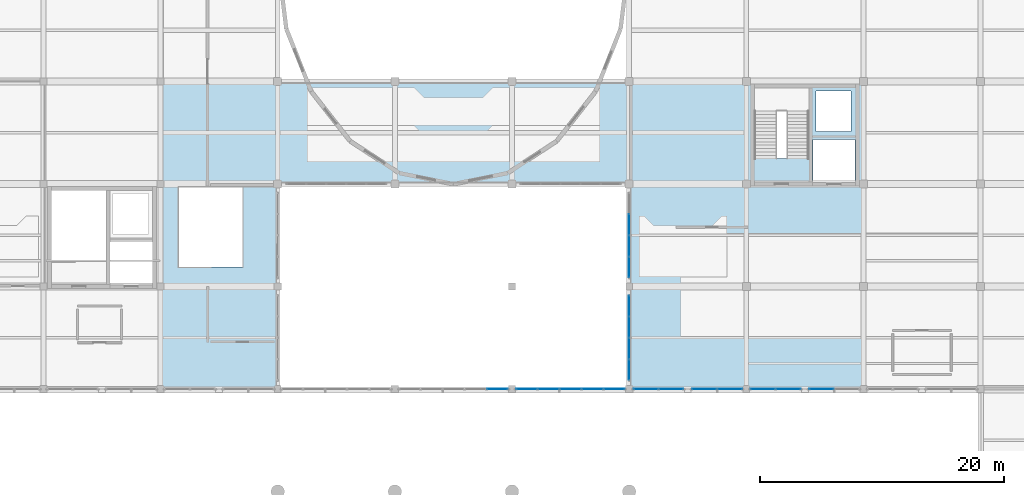
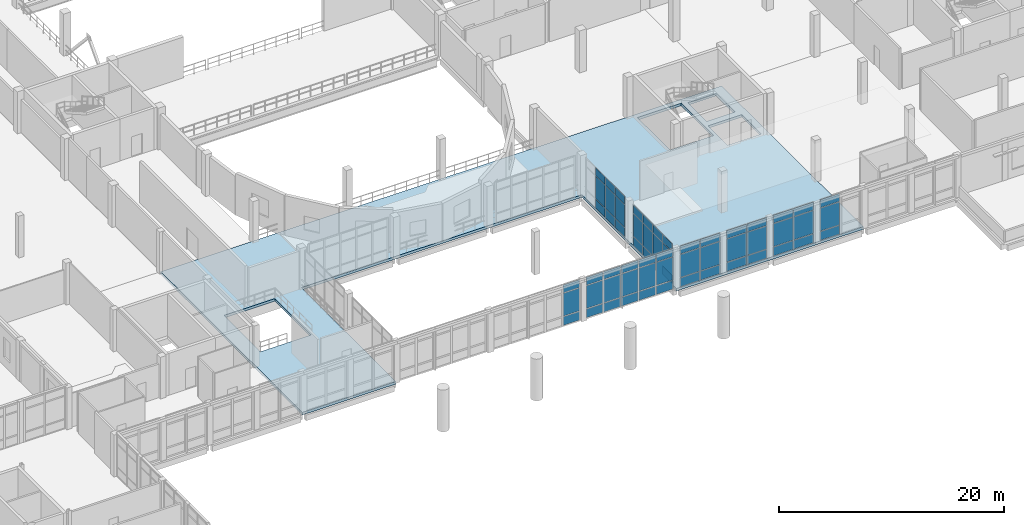
# One storey, part 65 of 88: 60 plates, 1 slab, 8 elements without a shape of their own.
"""IFC4 building model written with IfcOpenShell, lengths in metres."""

from ifc_helpers import new_model, si_unit, direction, frame, origin, origin_2d, place, context, subcontext, project, spatial, polyline, rectangle, outline, extrude, material, layer, layer_set, type_object, element, aggregate, save


model = new_model("IFC4")

# Units and contexts
model_context = context("Model", 3, precision=1e-05, world=origin(), true_north=direction((0.0, 1.0)))
body_context = subcontext(model_context, "Body", "Model", "MODEL_VIEW")
ifc_project = project(units=[si_unit("LENGTHUNIT", "METRE"), si_unit("AREAUNIT", "SQUARE_METRE"), si_unit("VOLUMEUNIT", "CUBIC_METRE"), si_unit("PLANEANGLEUNIT", "RADIAN"), si_unit("MASSUNIT", "GRAM", prefix="KILO")], contexts=[model_context])

# Site, building, storey
site_placement = place(None, origin())
site = spatial("IfcSite", under=ifc_project, at=site_placement, CompositionType="ELEMENT")
building_placement = place(site_placement, origin())
building = spatial("IfcBuilding", under=site, at=building_placement, Name="Lornevale Opera House", CompositionType="ELEMENT")
storey_placement = place(building_placement, frame((0.0, 0.0, 10.199951171875)))
storey = spatial("IfcBuildingStorey", under=building, at=storey_placement, Name="L03", CompositionType="ELEMENT", Elevation=10.199951171875)

# Curtain wall, plates
ifc_material_1 = material(Name="Anodized Oxide-Green Aluminium Framing", Category="aluminium")
ifc_layer_1 = layer(ifc_material_1, 0.14990234375)
ifc_layer_set_1 = layer_set([ifc_layer_1], Name="Anodized Oxide-Green Aluminium Framing")
curtain_wall_type_1 = type_object("IfcCurtainWallType", Name="North-Light Clerestory Curtain Wall M1600", PredefinedType="NOTDEFINED", material=ifc_layer_set_1)
curtain_wall_1_placement = place(storey_placement, origin())
curtain_wall_1 = element("IfcCurtainWall", 1, at=curtain_wall_1_placement, inside=storey, type_object=curtain_wall_type_1, Name="North-Light Clerestory Curtain Wall M1600 CW-179", PredefinedType="NOTDEFINED")
ifc_material_2 = material(Name="Triple Low-E Insulated Glazing", Category="glass")
ifc_layer_2 = layer(ifc_material_2, 0.033935546875)
ifc_layer_set_2 = layer_set([ifc_layer_2], Name="Triple Low-E Insulated Glazing")
plate_type_1 = type_object("IfcPlateType", Name="Clerestory Diffusing Glazing Panel 34", PredefinedType="CURTAIN_PANEL", material=ifc_layer_set_2)
plate_1_placement = place(storey_placement, frame((96.0, 30.27490234375, 0.06005859375), z_axis=(0.0, 0.0, 1.0), x_axis=(0.0, -1.0, 0.0)))
plate_1 = element("IfcPlate", 2, at=plate_1_placement, type_object=plate_type_1, Name="Clerestory Diffusing Glazing Panel 34 CW3755", PredefinedType="CURTAIN_PANEL", context=body_context, shape_type="SweptSolid", body=[
    extrude(rectangle(XDim=1.68994140625, YDim=0.033935546875, at=origin_2d()), origin(), (0.0, 0.0, 1.0), 0.9599609375),
])
plate_2_placement = place(storey_placement, frame((96.0, 30.27490234375, 1.080078125), z_axis=(0.0, 0.0, 1.0), x_axis=(0.0, -1.0, 0.0)))
plate_2 = element("IfcPlate", 3, at=plate_2_placement, type_object=plate_type_1, Name="Clerestory Diffusing Glazing Panel 34 CW3756", PredefinedType="CURTAIN_PANEL", context=body_context, shape_type="SweptSolid", body=[
    extrude(rectangle(XDim=1.68994140625, YDim=0.033935546875, at=origin_2d()), origin(), (0.0, 0.0, 1.0), 2.43994140625),
])
plate_3_placement = place(storey_placement, frame((96.0, 30.27490234375, 3.580078125), z_axis=(0.0, 0.0, 1.0), x_axis=(0.0, -1.0, 0.0)))
plate_3 = element("IfcPlate", 4, at=plate_3_placement, type_object=plate_type_1, Name="Clerestory Diffusing Glazing Panel 34 CW3757", PredefinedType="CURTAIN_PANEL", context=body_context, shape_type="SweptSolid", body=[
    extrude(rectangle(XDim=1.68994140625, YDim=0.033935546875, at=origin_2d()), origin(), (0.0, 0.0, 1.0), 0.860107421875),
])
plate_4_placement = place(storey_placement, frame((96.0, 28.52490234375, 0.06005859375), z_axis=(0.0, 0.0, 1.0), x_axis=(0.0, -1.0, 0.0)))
plate_4 = element("IfcPlate", 5, at=plate_4_placement, type_object=plate_type_1, Name="Clerestory Diffusing Glazing Panel 34 CW3762", PredefinedType="CURTAIN_PANEL", context=body_context, shape_type="SweptSolid", body=[
    extrude(rectangle(XDim=1.68994140625, YDim=0.033935546875, at=origin_2d()), origin(), (0.0, 0.0, 1.0), 0.9599609375),
])
plate_5_placement = place(storey_placement, frame((96.0, 28.52490234375, 1.080078125), z_axis=(0.0, 0.0, 1.0), x_axis=(0.0, -1.0, 0.0)))
plate_5 = element("IfcPlate", 6, at=plate_5_placement, type_object=plate_type_1, Name="Clerestory Diffusing Glazing Panel 34 CW3763", PredefinedType="CURTAIN_PANEL", context=body_context, shape_type="SweptSolid", body=[
    extrude(rectangle(XDim=1.68994140625, YDim=0.033935546875, at=origin_2d()), origin(), (0.0, 0.0, 1.0), 2.43994140625),
])
plate_6_placement = place(storey_placement, frame((96.0, 28.52490234375, 3.580078125), z_axis=(0.0, 0.0, 1.0), x_axis=(0.0, -1.0, 0.0)))
plate_6 = element("IfcPlate", 7, at=plate_6_placement, type_object=plate_type_1, Name="Clerestory Diffusing Glazing Panel 34 CW3764", PredefinedType="CURTAIN_PANEL", context=body_context, shape_type="SweptSolid", body=[
    extrude(rectangle(XDim=1.68994140625, YDim=0.033935546875, at=origin_2d()), origin(), (0.0, 0.0, 1.0), 0.860107421875),
])
plate_7_placement = place(storey_placement, frame((96.0, 26.7900390625, 0.06005859375), z_axis=(0.0, 0.0, 1.0), x_axis=(0.0, -1.0, 0.0)))
plate_7 = element("IfcPlate", 8, at=plate_7_placement, type_object=plate_type_1, Name="Clerestory Diffusing Glazing Panel 34 CW3769", PredefinedType="CURTAIN_PANEL", context=body_context, shape_type="SweptSolid", body=[
    extrude(rectangle(XDim=1.659912109375, YDim=0.033935546875, at=origin_2d()), origin(), (0.0, 0.0, 1.0), 0.9599609375),
])
plate_8_placement = place(storey_placement, frame((96.0, 26.7900390625, 1.080078125), z_axis=(0.0, 0.0, 1.0), x_axis=(0.0, -1.0, 0.0)))
plate_8 = element("IfcPlate", 9, at=plate_8_placement, type_object=plate_type_1, Name="Clerestory Diffusing Glazing Panel 34 CW3770", PredefinedType="CURTAIN_PANEL", context=body_context, shape_type="SweptSolid", body=[
    extrude(rectangle(XDim=1.659912109375, YDim=0.033935546875, at=origin_2d()), origin(), (0.0, 0.0, 1.0), 2.43994140625),
])
plate_9_placement = place(storey_placement, frame((96.0, 26.7900390625, 3.580078125), z_axis=(0.0, 0.0, 1.0), x_axis=(0.0, -1.0, 0.0)))
plate_9 = element("IfcPlate", 10, at=plate_9_placement, type_object=plate_type_1, Name="Clerestory Diffusing Glazing Panel 34 CW3771", PredefinedType="CURTAIN_PANEL", context=body_context, shape_type="SweptSolid", body=[
    extrude(rectangle(XDim=1.659912109375, YDim=0.033935546875, at=origin_2d()), origin(), (0.0, 0.0, 1.0), 0.860107421875),
])
aggregate(curtain_wall_1, [plate_1, plate_2, plate_3, plate_4, plate_5, plate_6, plate_7, plate_8, plate_9])

curtain_wall_2_placement = place(storey_placement, origin())
curtain_wall_2 = element("IfcCurtainWall", 11, at=curtain_wall_2_placement, inside=storey, type_object=curtain_wall_type_1, Name="North-Light Clerestory Curtain Wall M1600 CW-180", PredefinedType="NOTDEFINED")
plate_10_placement = place(storey_placement, frame((96.0, 23.610107421875, 0.06005859375), z_axis=(0.0, 0.0, 1.0), x_axis=(0.0, -1.0, 0.0)))
plate_10 = element("IfcPlate", 12, at=plate_10_placement, type_object=plate_type_1, Name="Clerestory Diffusing Glazing Panel 34 CW3781", PredefinedType="CURTAIN_PANEL", context=body_context, shape_type="SweptSolid", body=[
    extrude(rectangle(XDim=1.659912109375, YDim=0.033935546875, at=origin_2d()), origin(), (0.0, 0.0, 1.0), 0.9599609375),
])
plate_11_placement = place(storey_placement, frame((96.0, 23.610107421875, 1.080078125), z_axis=(0.0, 0.0, 1.0), x_axis=(0.0, -1.0, 0.0)))
plate_11 = element("IfcPlate", 13, at=plate_11_placement, type_object=plate_type_1, Name="Clerestory Diffusing Glazing Panel 34 CW3782", PredefinedType="CURTAIN_PANEL", context=body_context, shape_type="SweptSolid", body=[
    extrude(rectangle(XDim=1.659912109375, YDim=0.033935546875, at=origin_2d()), origin(), (0.0, 0.0, 1.0), 2.43994140625),
])
plate_12_placement = place(storey_placement, frame((96.0, 23.610107421875, 3.580078125), z_axis=(0.0, 0.0, 1.0), x_axis=(0.0, -1.0, 0.0)))
plate_12 = element("IfcPlate", 14, at=plate_12_placement, type_object=plate_type_1, Name="Clerestory Diffusing Glazing Panel 34 CW3783", PredefinedType="CURTAIN_PANEL", context=body_context, shape_type="SweptSolid", body=[
    extrude(rectangle(XDim=1.659912109375, YDim=0.033935546875, at=origin_2d()), origin(), (0.0, 0.0, 1.0), 0.860107421875),
])
plate_13_placement = place(storey_placement, frame((96.0, 21.875, 0.06005859375), z_axis=(0.0, 0.0, 1.0), x_axis=(0.0, -1.0, 0.0)))
plate_13 = element("IfcPlate", 15, at=plate_13_placement, type_object=plate_type_1, Name="Clerestory Diffusing Glazing Panel 34 CW3788", PredefinedType="CURTAIN_PANEL", context=body_context, shape_type="SweptSolid", body=[
    extrude(rectangle(XDim=1.68994140625, YDim=0.033935546875, at=origin_2d()), origin(), (0.0, 0.0, 1.0), 0.9599609375),
])
plate_14_placement = place(storey_placement, frame((96.0, 21.875, 1.080078125), z_axis=(0.0, 0.0, 1.0), x_axis=(0.0, -1.0, 0.0)))
plate_14 = element("IfcPlate", 16, at=plate_14_placement, type_object=plate_type_1, Name="Clerestory Diffusing Glazing Panel 34 CW3789", PredefinedType="CURTAIN_PANEL", context=body_context, shape_type="SweptSolid", body=[
    extrude(rectangle(XDim=1.68994140625, YDim=0.033935546875, at=origin_2d()), origin(), (0.0, 0.0, 1.0), 2.43994140625),
])
plate_15_placement = place(storey_placement, frame((96.0, 21.875, 3.580078125), z_axis=(0.0, 0.0, 1.0), x_axis=(0.0, -1.0, 0.0)))
plate_15 = element("IfcPlate", 17, at=plate_15_placement, type_object=plate_type_1, Name="Clerestory Diffusing Glazing Panel 34 CW3790", PredefinedType="CURTAIN_PANEL", context=body_context, shape_type="SweptSolid", body=[
    extrude(rectangle(XDim=1.68994140625, YDim=0.033935546875, at=origin_2d()), origin(), (0.0, 0.0, 1.0), 0.860107421875),
])
plate_16_placement = place(storey_placement, frame((96.0, 20.125, 0.06005859375), z_axis=(0.0, 0.0, 1.0), x_axis=(0.0, -1.0, 0.0)))
plate_16 = element("IfcPlate", 18, at=plate_16_placement, type_object=plate_type_1, Name="Clerestory Diffusing Glazing Panel 34 CW3795", PredefinedType="CURTAIN_PANEL", context=body_context, shape_type="SweptSolid", body=[
    extrude(rectangle(XDim=1.68994140625, YDim=0.033935546875, at=origin_2d()), origin(), (0.0, 0.0, 1.0), 0.9599609375),
])
plate_17_placement = place(storey_placement, frame((96.0, 20.125, 1.080078125), z_axis=(0.0, 0.0, 1.0), x_axis=(0.0, -1.0, 0.0)))
plate_17 = element("IfcPlate", 19, at=plate_17_placement, type_object=plate_type_1, Name="Clerestory Diffusing Glazing Panel 34 CW3796", PredefinedType="CURTAIN_PANEL", context=body_context, shape_type="SweptSolid", body=[
    extrude(rectangle(XDim=1.68994140625, YDim=0.033935546875, at=origin_2d()), origin(), (0.0, 0.0, 1.0), 2.43994140625),
])
plate_18_placement = place(storey_placement, frame((96.0, 20.125, 3.580078125), z_axis=(0.0, 0.0, 1.0), x_axis=(0.0, -1.0, 0.0)))
plate_18 = element("IfcPlate", 20, at=plate_18_placement, type_object=plate_type_1, Name="Clerestory Diffusing Glazing Panel 34 CW3797", PredefinedType="CURTAIN_PANEL", context=body_context, shape_type="SweptSolid", body=[
    extrude(rectangle(XDim=1.68994140625, YDim=0.033935546875, at=origin_2d()), origin(), (0.0, 0.0, 1.0), 0.860107421875),
])
plate_19_placement = place(storey_placement, frame((96.0, 18.389892578125, 0.06005859375), z_axis=(0.0, 0.0, 1.0), x_axis=(0.0, -1.0, 0.0)))
plate_19 = element("IfcPlate", 21, at=plate_19_placement, type_object=plate_type_1, Name="Clerestory Diffusing Glazing Panel 34 CW3802", PredefinedType="CURTAIN_PANEL", context=body_context, shape_type="SweptSolid", body=[
    extrude(rectangle(XDim=1.659912109375, YDim=0.033935546875, at=origin_2d()), origin(), (0.0, 0.0, 1.0), 0.9599609375),
])
plate_20_placement = place(storey_placement, frame((96.0, 18.389892578125, 1.080078125), z_axis=(0.0, 0.0, 1.0), x_axis=(0.0, -1.0, 0.0)))
plate_20 = element("IfcPlate", 22, at=plate_20_placement, type_object=plate_type_1, Name="Clerestory Diffusing Glazing Panel 34 CW3803", PredefinedType="CURTAIN_PANEL", context=body_context, shape_type="SweptSolid", body=[
    extrude(rectangle(XDim=1.659912109375, YDim=0.033935546875, at=origin_2d()), origin(), (0.0, 0.0, 1.0), 2.43994140625),
])
plate_21_placement = place(storey_placement, frame((96.0, 18.389892578125, 3.580078125), z_axis=(0.0, 0.0, 1.0), x_axis=(0.0, -1.0, 0.0)))
plate_21 = element("IfcPlate", 23, at=plate_21_placement, type_object=plate_type_1, Name="Clerestory Diffusing Glazing Panel 34 CW3804", PredefinedType="CURTAIN_PANEL", context=body_context, shape_type="SweptSolid", body=[
    extrude(rectangle(XDim=1.659912109375, YDim=0.033935546875, at=origin_2d()), origin(), (0.0, 0.0, 1.0), 0.860107421875),
])
aggregate(curtain_wall_2, [plate_10, plate_11, plate_12, plate_13, plate_14, plate_15, plate_16, plate_17, plate_18, plate_19, plate_20, plate_21])

# Slab
ifc_material_3 = material(Name="Concrete 35 MPa (CSA A23.1 N)", Category="concrete")
ifc_layer_3 = layer(ifc_material_3, 0.280029296875)
ifc_layer_set_3 = layer_set([ifc_layer_3], Name="Concrete 35 MPa (CSA A23.1 N)")
slab_type = type_object("IfcSlabType", Name="Dress Circle Floor Slab 280", PredefinedType="FLOOR", material=ifc_layer_set_3)
slab_placement = place(storey_placement, frame((0.0, 0.0, -0.280029296875)))
element("IfcSlab", 24, at=slab_placement, inside=storey, type_object=slab_type, Name="Dress Circle Floor Slab 280 SL-046", PredefinedType="FLOOR", context=body_context, shape_type="SweptSolid", body=[
    extrude(outline(polyline([(57.60009765625, 25.199951171875), (57.60009765625, 33.60009765625), (57.60009765625, 42.0), (67.199951171875, 42.0), (76.800048828125, 42.0), (86.39990234375, 42.0), (96.0, 42.0), (105.60009765625, 42.0), (115.199951171875, 42.0), (115.199951171875, 33.60009765625), (115.199951171875, 25.199951171875), (115.199951171875, 16.800048828125), (105.60009765625, 16.800048828125), (96.0, 16.800048828125), (96.0, 25.199951171875), (96.0, 33.60009765625), (86.39990234375, 33.60009765625), (76.800048828125, 33.60009765625), (67.199951171875, 33.60009765625), (67.199951171875, 25.199951171875), (67.199951171875, 16.800048828125), (57.60009765625, 16.800048828125), (57.60009765625, 25.199951171875)]), holes=[polyline([(111.06005859375, 33.780029296875), (114.52001953125, 33.780029296875), (114.52001953125, 37.239990234375), (111.06005859375, 37.239990234375), (111.06005859375, 33.780029296875)]), polyline([(106.260009765625, 35.679931640625), (110.739990234375, 35.679931640625), (110.739990234375, 41.47998046875), (106.260009765625, 41.47998046875), (106.260009765625, 35.679931640625)]), polyline([(59.10009765625, 26.820068359375), (64.300048828125, 26.820068359375), (64.300048828125, 33.300048828125), (59.10009765625, 33.300048828125), (59.10009765625, 26.820068359375)]), polyline([(111.300048828125, 37.89990234375), (114.199951171875, 37.89990234375), (114.199951171875, 41.239990234375), (111.300048828125, 41.239990234375), (111.300048828125, 37.89990234375)])]), origin(), (0.0, 0.0, 1.0), 0.280029296875),
])

# Curtain wall, plates
ifc_layer_4 = layer(ifc_material_1, 0.219970703125)
ifc_layer_set_4 = layer_set([ifc_layer_4], Name="Anodized Oxide-Green Aluminium Framing")
curtain_wall_type_2 = type_object("IfcCurtainWallType", Name="Winter-Garden Curtain Wall M1900", PredefinedType="NOTDEFINED", material=ifc_layer_set_4)
curtain_wall_3_placement = place(storey_placement, origin())
curtain_wall_3 = element("IfcCurtainWall", 25, at=curtain_wall_3_placement, inside=storey, type_object=curtain_wall_type_2, Name="Winter-Garden Curtain Wall M1900 CW-137", PredefinedType="NOTDEFINED")
ifc_layer_5 = layer(ifc_material_2, 0.0380859375)
ifc_layer_set_5 = layer_set([ifc_layer_5], Name="Triple Low-E Insulated Glazing")
plate_type_2 = type_object("IfcPlateType", Name="Triple Low-E Vision Panel 38", PredefinedType="CURTAIN_PANEL", material=ifc_layer_set_5)
plate_22_placement = place(storey_placement, frame((85.20703125, 16.800048828125, 0.0751953125), z_axis=(0.0, 0.0, 1.0), x_axis=(-1.0, 0.0, 0.0)))
plate_22 = element("IfcPlate", 26, at=plate_22_placement, type_object=plate_type_2, Name="Triple Low-E Vision Panel 38 CW2843", PredefinedType="CURTAIN_PANEL", context=body_context, shape_type="SweptSolid", body=[
    extrude(rectangle(XDim=1.694091796875, YDim=0.0380859375, at=origin_2d()), origin(), (0.0, 0.0, 1.0), 0.9375),
])
plate_23_placement = place(storey_placement, frame((85.20703125, 16.800048828125, 1.08740234375), z_axis=(0.0, 0.0, 1.0), x_axis=(-1.0, 0.0, 0.0)))
plate_23 = element("IfcPlate", 27, at=plate_23_placement, type_object=plate_type_2, Name="Triple Low-E Vision Panel 38 CW2844", PredefinedType="CURTAIN_PANEL", context=body_context, shape_type="SweptSolid", body=[
    extrude(rectangle(XDim=1.694091796875, YDim=0.0380859375, at=origin_2d()), origin(), (0.0, 0.0, 1.0), 2.465087890625),
])
plate_24_placement = place(storey_placement, frame((85.20703125, 16.800048828125, 3.62744140625), z_axis=(0.0, 0.0, 1.0), x_axis=(-1.0, 0.0, 0.0)))
plate_24 = element("IfcPlate", 28, at=plate_24_placement, type_object=plate_type_2, Name="Triple Low-E Vision Panel 38 CW2845", PredefinedType="CURTAIN_PANEL", context=body_context, shape_type="SweptSolid", body=[
    extrude(rectangle(XDim=1.694091796875, YDim=0.0380859375, at=origin_2d()), origin(), (0.0, 0.0, 1.0), 0.83740234375),
])
aggregate(curtain_wall_3, [plate_22, plate_23, plate_24])

curtain_wall_4_placement = place(storey_placement, origin())
curtain_wall_4 = element("IfcCurtainWall", 29, at=curtain_wall_4_placement, inside=storey, type_object=curtain_wall_type_2, Name="Winter-Garden Curtain Wall M1900 CW-138", PredefinedType="NOTDEFINED")
plate_25_placement = place(storey_placement, frame((94.781982421875, 16.800048828125, 0.0751953125), z_axis=(0.0, 0.0, 1.0), x_axis=(-1.0, 0.0, 0.0)))
plate_25 = element("IfcPlate", 30, at=plate_25_placement, type_object=plate_type_2, Name="Triple Low-E Vision Panel 38 CW2884", PredefinedType="CURTAIN_PANEL", context=body_context, shape_type="SweptSolid", body=[
    extrude(rectangle(XDim=1.694091796875, YDim=0.0380859375, at=origin_2d()), origin(), (0.0, 0.0, 1.0), 0.9375),
])
plate_26_placement = place(storey_placement, frame((94.781982421875, 16.800048828125, 1.08740234375), z_axis=(0.0, 0.0, 1.0), x_axis=(-1.0, 0.0, 0.0)))
plate_26 = element("IfcPlate", 31, at=plate_26_placement, type_object=plate_type_2, Name="Triple Low-E Vision Panel 38 CW2885", PredefinedType="CURTAIN_PANEL", context=body_context, shape_type="SweptSolid", body=[
    extrude(rectangle(XDim=1.694091796875, YDim=0.0380859375, at=origin_2d()), origin(), (0.0, 0.0, 1.0), 2.465087890625),
])
plate_27_placement = place(storey_placement, frame((94.781982421875, 16.800048828125, 3.62744140625), z_axis=(0.0, 0.0, 1.0), x_axis=(-1.0, 0.0, 0.0)))
plate_27 = element("IfcPlate", 32, at=plate_27_placement, type_object=plate_type_2, Name="Triple Low-E Vision Panel 38 CW2886", PredefinedType="CURTAIN_PANEL", context=body_context, shape_type="SweptSolid", body=[
    extrude(rectangle(XDim=1.694091796875, YDim=0.0380859375, at=origin_2d()), origin(), (0.0, 0.0, 1.0), 0.83740234375),
])
plate_28_placement = place(storey_placement, frame((92.994140625, 16.800048828125, 0.0751953125), z_axis=(0.0, 0.0, 1.0), x_axis=(-1.0, 0.0, 0.0)))
plate_28 = element("IfcPlate", 33, at=plate_28_placement, type_object=plate_type_2, Name="Triple Low-E Vision Panel 38 CW2891", PredefinedType="CURTAIN_PANEL", context=body_context, shape_type="SweptSolid", body=[
    extrude(rectangle(XDim=1.731689453125, YDim=0.0380859375, at=origin_2d()), origin(), (0.0, 0.0, 1.0), 0.9375),
])
plate_29_placement = place(storey_placement, frame((92.994140625, 16.800048828125, 1.08740234375), z_axis=(0.0, 0.0, 1.0), x_axis=(-1.0, 0.0, 0.0)))
plate_29 = element("IfcPlate", 34, at=plate_29_placement, type_object=plate_type_2, Name="Triple Low-E Vision Panel 38 CW2892", PredefinedType="CURTAIN_PANEL", context=body_context, shape_type="SweptSolid", body=[
    extrude(rectangle(XDim=1.731689453125, YDim=0.0380859375, at=origin_2d()), origin(), (0.0, 0.0, 1.0), 2.465087890625),
])
plate_30_placement = place(storey_placement, frame((92.994140625, 16.800048828125, 3.62744140625), z_axis=(0.0, 0.0, 1.0), x_axis=(-1.0, 0.0, 0.0)))
plate_30 = element("IfcPlate", 35, at=plate_30_placement, type_object=plate_type_2, Name="Triple Low-E Vision Panel 38 CW2893", PredefinedType="CURTAIN_PANEL", context=body_context, shape_type="SweptSolid", body=[
    extrude(rectangle(XDim=1.731689453125, YDim=0.0380859375, at=origin_2d()), origin(), (0.0, 0.0, 1.0), 0.83740234375),
])
plate_31_placement = place(storey_placement, frame((91.1875, 16.800048828125, 0.0751953125), z_axis=(0.0, 0.0, 1.0), x_axis=(-1.0, 0.0, 0.0)))
plate_31 = element("IfcPlate", 36, at=plate_31_placement, type_object=plate_type_2, Name="Triple Low-E Vision Panel 38 CW2898", PredefinedType="CURTAIN_PANEL", context=body_context, shape_type="SweptSolid", body=[
    extrude(rectangle(XDim=1.731689453125, YDim=0.0380859375, at=origin_2d()), origin(), (0.0, 0.0, 1.0), 0.9375),
])
plate_32_placement = place(storey_placement, frame((91.1875, 16.800048828125, 1.08740234375), z_axis=(0.0, 0.0, 1.0), x_axis=(-1.0, 0.0, 0.0)))
plate_32 = element("IfcPlate", 37, at=plate_32_placement, type_object=plate_type_2, Name="Triple Low-E Vision Panel 38 CW2899", PredefinedType="CURTAIN_PANEL", context=body_context, shape_type="SweptSolid", body=[
    extrude(rectangle(XDim=1.731689453125, YDim=0.0380859375, at=origin_2d()), origin(), (0.0, 0.0, 1.0), 2.465087890625),
])
plate_33_placement = place(storey_placement, frame((91.1875, 16.800048828125, 3.62744140625), z_axis=(0.0, 0.0, 1.0), x_axis=(-1.0, 0.0, 0.0)))
plate_33 = element("IfcPlate", 38, at=plate_33_placement, type_object=plate_type_2, Name="Triple Low-E Vision Panel 38 CW2900", PredefinedType="CURTAIN_PANEL", context=body_context, shape_type="SweptSolid", body=[
    extrude(rectangle(XDim=1.731689453125, YDim=0.0380859375, at=origin_2d()), origin(), (0.0, 0.0, 1.0), 0.83740234375),
])
plate_34_placement = place(storey_placement, frame((89.380859375, 16.800048828125, 0.0751953125), z_axis=(0.0, 0.0, 1.0), x_axis=(-1.0, 0.0, 0.0)))
plate_34 = element("IfcPlate", 39, at=plate_34_placement, type_object=plate_type_2, Name="Triple Low-E Vision Panel 38 CW2905", PredefinedType="CURTAIN_PANEL", context=body_context, shape_type="SweptSolid", body=[
    extrude(rectangle(XDim=1.731689453125, YDim=0.0380859375, at=origin_2d()), origin(), (0.0, 0.0, 1.0), 0.9375),
])
plate_35_placement = place(storey_placement, frame((89.380859375, 16.800048828125, 1.08740234375), z_axis=(0.0, 0.0, 1.0), x_axis=(-1.0, 0.0, 0.0)))
plate_35 = element("IfcPlate", 40, at=plate_35_placement, type_object=plate_type_2, Name="Triple Low-E Vision Panel 38 CW2906", PredefinedType="CURTAIN_PANEL", context=body_context, shape_type="SweptSolid", body=[
    extrude(rectangle(XDim=1.731689453125, YDim=0.0380859375, at=origin_2d()), origin(), (0.0, 0.0, 1.0), 2.465087890625),
])
plate_36_placement = place(storey_placement, frame((89.380859375, 16.800048828125, 3.62744140625), z_axis=(0.0, 0.0, 1.0), x_axis=(-1.0, 0.0, 0.0)))
plate_36 = element("IfcPlate", 41, at=plate_36_placement, type_object=plate_type_2, Name="Triple Low-E Vision Panel 38 CW2907", PredefinedType="CURTAIN_PANEL", context=body_context, shape_type="SweptSolid", body=[
    extrude(rectangle(XDim=1.731689453125, YDim=0.0380859375, at=origin_2d()), origin(), (0.0, 0.0, 1.0), 0.83740234375),
])
plate_37_placement = place(storey_placement, frame((87.593017578125, 16.800048828125, 0.0751953125), z_axis=(0.0, 0.0, 1.0), x_axis=(-1.0, 0.0, 0.0)))
plate_37 = element("IfcPlate", 42, at=plate_37_placement, type_object=plate_type_2, Name="Triple Low-E Vision Panel 38 CW2912", PredefinedType="CURTAIN_PANEL", context=body_context, shape_type="SweptSolid", body=[
    extrude(rectangle(XDim=1.694091796875, YDim=0.0380859375, at=origin_2d()), origin(), (0.0, 0.0, 1.0), 0.9375),
])
plate_38_placement = place(storey_placement, frame((87.593017578125, 16.800048828125, 1.08740234375), z_axis=(0.0, 0.0, 1.0), x_axis=(-1.0, 0.0, 0.0)))
plate_38 = element("IfcPlate", 43, at=plate_38_placement, type_object=plate_type_2, Name="Triple Low-E Vision Panel 38 CW2913", PredefinedType="CURTAIN_PANEL", context=body_context, shape_type="SweptSolid", body=[
    extrude(rectangle(XDim=1.694091796875, YDim=0.0380859375, at=origin_2d()), origin(), (0.0, 0.0, 1.0), 2.465087890625),
])
plate_39_placement = place(storey_placement, frame((87.593017578125, 16.800048828125, 3.62744140625), z_axis=(0.0, 0.0, 1.0), x_axis=(-1.0, 0.0, 0.0)))
plate_39 = element("IfcPlate", 44, at=plate_39_placement, type_object=plate_type_2, Name="Triple Low-E Vision Panel 38 CW2914", PredefinedType="CURTAIN_PANEL", context=body_context, shape_type="SweptSolid", body=[
    extrude(rectangle(XDim=1.694091796875, YDim=0.0380859375, at=origin_2d()), origin(), (0.0, 0.0, 1.0), 0.83740234375),
])
aggregate(curtain_wall_4, [plate_25, plate_26, plate_27, plate_28, plate_29, plate_30, plate_31, plate_32, plate_33, plate_34, plate_35, plate_36, plate_37, plate_38, plate_39])

curtain_wall_5_placement = place(storey_placement, origin())
curtain_wall_5 = element("IfcCurtainWall", 45, at=curtain_wall_5_placement, inside=storey, type_object=curtain_wall_type_2, Name="Winter-Garden Curtain Wall M1900 CW-139", PredefinedType="NOTDEFINED")
plate_40_placement = place(storey_placement, frame((104.248046875, 16.800048828125, 0.0751953125), z_axis=(0.0, 0.0, 1.0), x_axis=(-1.0, 0.0, 0.0)))
plate_40 = element("IfcPlate", 46, at=plate_40_placement, type_object=plate_type_2, Name="Triple Low-E Vision Panel 38 CW2922", PredefinedType="CURTAIN_PANEL", context=body_context, shape_type="SweptSolid", body=[
    extrude(rectangle(XDim=2.011962890625, YDim=0.0380859375, at=origin_2d()), origin(), (0.0, 0.0, 1.0), 0.9375),
])
plate_41_placement = place(storey_placement, frame((104.248046875, 16.800048828125, 1.08740234375), z_axis=(0.0, 0.0, 1.0), x_axis=(-1.0, 0.0, 0.0)))
plate_41 = element("IfcPlate", 47, at=plate_41_placement, type_object=plate_type_2, Name="Triple Low-E Vision Panel 38 CW2923", PredefinedType="CURTAIN_PANEL", context=body_context, shape_type="SweptSolid", body=[
    extrude(rectangle(XDim=2.011962890625, YDim=0.0380859375, at=origin_2d()), origin(), (0.0, 0.0, 1.0), 2.465087890625),
])
plate_42_placement = place(storey_placement, frame((104.248046875, 16.800048828125, 3.62744140625), z_axis=(0.0, 0.0, 1.0), x_axis=(-1.0, 0.0, 0.0)))
plate_42 = element("IfcPlate", 48, at=plate_42_placement, type_object=plate_type_2, Name="Triple Low-E Vision Panel 38 CW2924", PredefinedType="CURTAIN_PANEL", context=body_context, shape_type="SweptSolid", body=[
    extrude(rectangle(XDim=2.011962890625, YDim=0.0380859375, at=origin_2d()), origin(), (0.0, 0.0, 1.0), 0.83740234375),
])
plate_43_placement = place(storey_placement, frame((102.160888671875, 16.800048828125, 0.0751953125), z_axis=(0.0, 0.0, 1.0), x_axis=(-1.0, 0.0, 0.0)))
plate_43 = element("IfcPlate", 49, at=plate_43_placement, type_object=plate_type_2, Name="Triple Low-E Vision Panel 38 CW2929", PredefinedType="CURTAIN_PANEL", context=body_context, shape_type="SweptSolid", body=[
    extrude(rectangle(XDim=2.011962890625, YDim=0.0380859375, at=origin_2d()), origin(), (0.0, 0.0, 1.0), 0.9375),
])
plate_44_placement = place(storey_placement, frame((102.160888671875, 16.800048828125, 1.08740234375), z_axis=(0.0, 0.0, 1.0), x_axis=(-1.0, 0.0, 0.0)))
plate_44 = element("IfcPlate", 50, at=plate_44_placement, type_object=plate_type_2, Name="Triple Low-E Vision Panel 38 CW2930", PredefinedType="CURTAIN_PANEL", context=body_context, shape_type="SweptSolid", body=[
    extrude(rectangle(XDim=2.011962890625, YDim=0.0380859375, at=origin_2d()), origin(), (0.0, 0.0, 1.0), 2.465087890625),
])
plate_45_placement = place(storey_placement, frame((102.160888671875, 16.800048828125, 3.62744140625), z_axis=(0.0, 0.0, 1.0), x_axis=(-1.0, 0.0, 0.0)))
plate_45 = element("IfcPlate", 51, at=plate_45_placement, type_object=plate_type_2, Name="Triple Low-E Vision Panel 38 CW2931", PredefinedType="CURTAIN_PANEL", context=body_context, shape_type="SweptSolid", body=[
    extrude(rectangle(XDim=2.011962890625, YDim=0.0380859375, at=origin_2d()), origin(), (0.0, 0.0, 1.0), 0.83740234375),
])
aggregate(curtain_wall_5, [plate_40, plate_41, plate_42, plate_43, plate_44, plate_45])

curtain_wall_6_placement = place(storey_placement, origin())
curtain_wall_6 = element("IfcCurtainWall", 52, at=curtain_wall_6_placement, inside=storey, type_object=curtain_wall_type_2, Name="Winter-Garden Curtain Wall M1900 CW-140", PredefinedType="NOTDEFINED")
plate_46_placement = place(storey_placement, frame((99.4453125, 16.800048828125, 0.0751953125), z_axis=(0.0, 0.0, 1.0), x_axis=(-1.0, 0.0, 0.0)))
plate_46 = element("IfcPlate", 53, at=plate_46_placement, type_object=plate_type_2, Name="Triple Low-E Vision Panel 38 CW2939", PredefinedType="CURTAIN_PANEL", context=body_context, shape_type="SweptSolid", body=[
    extrude(rectangle(XDim=1.99951171875, YDim=0.0380859375, at=origin_2d()), origin(), (0.0, 0.0, 1.0), 0.9375),
])
plate_47_placement = place(storey_placement, frame((99.4453125, 16.800048828125, 1.08740234375), z_axis=(0.0, 0.0, 1.0), x_axis=(-1.0, 0.0, 0.0)))
plate_47 = element("IfcPlate", 54, at=plate_47_placement, type_object=plate_type_2, Name="Triple Low-E Vision Panel 38 CW2940", PredefinedType="CURTAIN_PANEL", context=body_context, shape_type="SweptSolid", body=[
    extrude(rectangle(XDim=1.99951171875, YDim=0.0380859375, at=origin_2d()), origin(), (0.0, 0.0, 1.0), 2.465087890625),
])
plate_48_placement = place(storey_placement, frame((99.4453125, 16.800048828125, 3.62744140625), z_axis=(0.0, 0.0, 1.0), x_axis=(-1.0, 0.0, 0.0)))
plate_48 = element("IfcPlate", 55, at=plate_48_placement, type_object=plate_type_2, Name="Triple Low-E Vision Panel 38 CW2941", PredefinedType="CURTAIN_PANEL", context=body_context, shape_type="SweptSolid", body=[
    extrude(rectangle(XDim=1.99951171875, YDim=0.0380859375, at=origin_2d()), origin(), (0.0, 0.0, 1.0), 0.83740234375),
])
plate_49_placement = place(storey_placement, frame((97.370849609375, 16.800048828125, 0.0751953125), z_axis=(0.0, 0.0, 1.0), x_axis=(-1.0, 0.0, 0.0)))
plate_49 = element("IfcPlate", 56, at=plate_49_placement, type_object=plate_type_2, Name="Triple Low-E Vision Panel 38 CW2946", PredefinedType="CURTAIN_PANEL", context=body_context, shape_type="SweptSolid", body=[
    extrude(rectangle(XDim=1.99951171875, YDim=0.0380859375, at=origin_2d()), origin(), (0.0, 0.0, 1.0), 0.9375),
])
plate_50_placement = place(storey_placement, frame((97.370849609375, 16.800048828125, 1.08740234375), z_axis=(0.0, 0.0, 1.0), x_axis=(-1.0, 0.0, 0.0)))
plate_50 = element("IfcPlate", 57, at=plate_50_placement, type_object=plate_type_2, Name="Triple Low-E Vision Panel 38 CW2947", PredefinedType="CURTAIN_PANEL", context=body_context, shape_type="SweptSolid", body=[
    extrude(rectangle(XDim=1.99951171875, YDim=0.0380859375, at=origin_2d()), origin(), (0.0, 0.0, 1.0), 2.465087890625),
])
plate_51_placement = place(storey_placement, frame((97.370849609375, 16.800048828125, 3.62744140625), z_axis=(0.0, 0.0, 1.0), x_axis=(-1.0, 0.0, 0.0)))
plate_51 = element("IfcPlate", 58, at=plate_51_placement, type_object=plate_type_2, Name="Triple Low-E Vision Panel 38 CW2948", PredefinedType="CURTAIN_PANEL", context=body_context, shape_type="SweptSolid", body=[
    extrude(rectangle(XDim=1.99951171875, YDim=0.0380859375, at=origin_2d()), origin(), (0.0, 0.0, 1.0), 0.83740234375),
])
aggregate(curtain_wall_6, [plate_46, plate_47, plate_48, plate_49, plate_50, plate_51])

curtain_wall_7_placement = place(storey_placement, origin())
curtain_wall_7 = element("IfcCurtainWall", 59, at=curtain_wall_7_placement, inside=storey, type_object=curtain_wall_type_2, Name="Winter-Garden Curtain Wall M1900 CW-141", PredefinedType="NOTDEFINED")
plate_52_placement = place(storey_placement, frame((111.7548828125, 16.800048828125, 0.0751953125), z_axis=(0.0, 0.0, 1.0), x_axis=(-1.0, 0.0, 0.0)))
plate_52 = element("IfcPlate", 60, at=plate_52_placement, type_object=plate_type_2, Name="Triple Low-E Vision Panel 38 CW2963", PredefinedType="CURTAIN_PANEL", context=body_context, shape_type="SweptSolid", body=[
    extrude(rectangle(XDim=1.99951171875, YDim=0.0380859375, at=origin_2d()), origin(), (0.0, 0.0, 1.0), 0.9375),
])
plate_53_placement = place(storey_placement, frame((111.7548828125, 16.800048828125, 1.08740234375), z_axis=(0.0, 0.0, 1.0), x_axis=(-1.0, 0.0, 0.0)))
plate_53 = element("IfcPlate", 61, at=plate_53_placement, type_object=plate_type_2, Name="Triple Low-E Vision Panel 38 CW2964", PredefinedType="CURTAIN_PANEL", context=body_context, shape_type="SweptSolid", body=[
    extrude(rectangle(XDim=1.99951171875, YDim=0.0380859375, at=origin_2d()), origin(), (0.0, 0.0, 1.0), 2.465087890625),
])
plate_54_placement = place(storey_placement, frame((111.7548828125, 16.800048828125, 3.62744140625), z_axis=(0.0, 0.0, 1.0), x_axis=(-1.0, 0.0, 0.0)))
plate_54 = element("IfcPlate", 62, at=plate_54_placement, type_object=plate_type_2, Name="Triple Low-E Vision Panel 38 CW2965", PredefinedType="CURTAIN_PANEL", context=body_context, shape_type="SweptSolid", body=[
    extrude(rectangle(XDim=1.99951171875, YDim=0.0380859375, at=origin_2d()), origin(), (0.0, 0.0, 1.0), 0.83740234375),
])
aggregate(curtain_wall_7, [plate_52, plate_53, plate_54])

curtain_wall_8_placement = place(storey_placement, origin())
curtain_wall_8 = element("IfcCurtainWall", 63, at=curtain_wall_8_placement, inside=storey, type_object=curtain_wall_type_2, Name="Winter-Garden Curtain Wall M1900 CW-142", PredefinedType="NOTDEFINED")
plate_55_placement = place(storey_placement, frame((109.0390625, 16.800048828125, 0.0751953125), z_axis=(0.0, 0.0, 1.0), x_axis=(-1.0, 0.0, 0.0)))
plate_55 = element("IfcPlate", 64, at=plate_55_placement, type_object=plate_type_2, Name="Triple Low-E Vision Panel 38 CW2973", PredefinedType="CURTAIN_PANEL", context=body_context, shape_type="SweptSolid", body=[
    extrude(rectangle(XDim=2.011962890625, YDim=0.0380859375, at=origin_2d()), origin(), (0.0, 0.0, 1.0), 0.9375),
])
plate_56_placement = place(storey_placement, frame((109.0390625, 16.800048828125, 1.08740234375), z_axis=(0.0, 0.0, 1.0), x_axis=(-1.0, 0.0, 0.0)))
plate_56 = element("IfcPlate", 65, at=plate_56_placement, type_object=plate_type_2, Name="Triple Low-E Vision Panel 38 CW2974", PredefinedType="CURTAIN_PANEL", context=body_context, shape_type="SweptSolid", body=[
    extrude(rectangle(XDim=2.011962890625, YDim=0.0380859375, at=origin_2d()), origin(), (0.0, 0.0, 1.0), 2.465087890625),
])
plate_57_placement = place(storey_placement, frame((109.0390625, 16.800048828125, 3.62744140625), z_axis=(0.0, 0.0, 1.0), x_axis=(-1.0, 0.0, 0.0)))
plate_57 = element("IfcPlate", 66, at=plate_57_placement, type_object=plate_type_2, Name="Triple Low-E Vision Panel 38 CW2975", PredefinedType="CURTAIN_PANEL", context=body_context, shape_type="SweptSolid", body=[
    extrude(rectangle(XDim=2.011962890625, YDim=0.0380859375, at=origin_2d()), origin(), (0.0, 0.0, 1.0), 0.83740234375),
])
plate_58_placement = place(storey_placement, frame((106.951904296875, 16.800048828125, 0.0751953125), z_axis=(0.0, 0.0, 1.0), x_axis=(-1.0, 0.0, 0.0)))
plate_58 = element("IfcPlate", 67, at=plate_58_placement, type_object=plate_type_2, Name="Triple Low-E Vision Panel 38 CW2980", PredefinedType="CURTAIN_PANEL", context=body_context, shape_type="SweptSolid", body=[
    extrude(rectangle(XDim=2.011962890625, YDim=0.0380859375, at=origin_2d()), origin(), (0.0, 0.0, 1.0), 0.9375),
])
plate_59_placement = place(storey_placement, frame((106.951904296875, 16.800048828125, 1.08740234375), z_axis=(0.0, 0.0, 1.0), x_axis=(-1.0, 0.0, 0.0)))
plate_59 = element("IfcPlate", 68, at=plate_59_placement, type_object=plate_type_2, Name="Triple Low-E Vision Panel 38 CW2981", PredefinedType="CURTAIN_PANEL", context=body_context, shape_type="SweptSolid", body=[
    extrude(rectangle(XDim=2.011962890625, YDim=0.0380859375, at=origin_2d()), origin(), (0.0, 0.0, 1.0), 2.465087890625),
])
plate_60_placement = place(storey_placement, frame((106.951904296875, 16.800048828125, 3.62744140625), z_axis=(0.0, 0.0, 1.0), x_axis=(-1.0, 0.0, 0.0)))
plate_60 = element("IfcPlate", 69, at=plate_60_placement, type_object=plate_type_2, Name="Triple Low-E Vision Panel 38 CW2982", PredefinedType="CURTAIN_PANEL", context=body_context, shape_type="SweptSolid", body=[
    extrude(rectangle(XDim=2.011962890625, YDim=0.0380859375, at=origin_2d()), origin(), (0.0, 0.0, 1.0), 0.83740234375),
])
aggregate(curtain_wall_8, [plate_55, plate_56, plate_57, plate_58, plate_59, plate_60])

save(model, "model.ifc")
